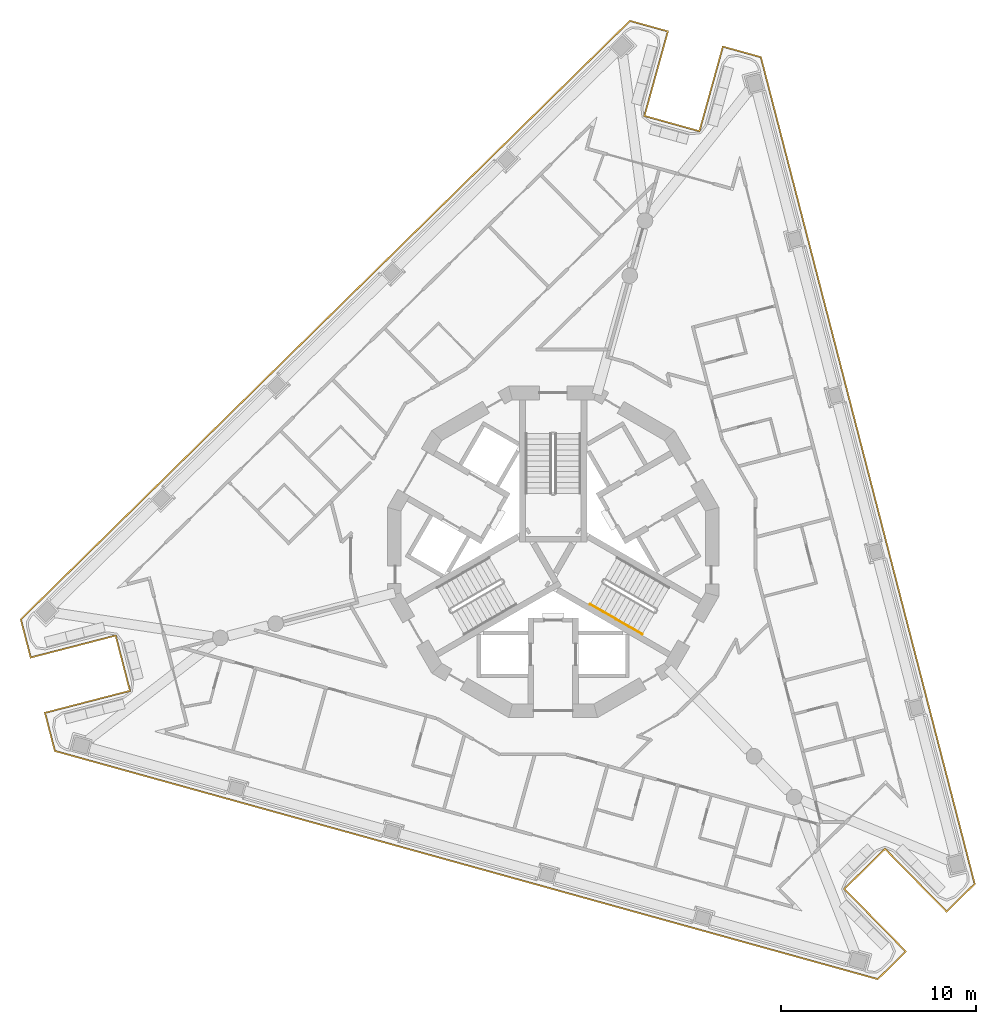
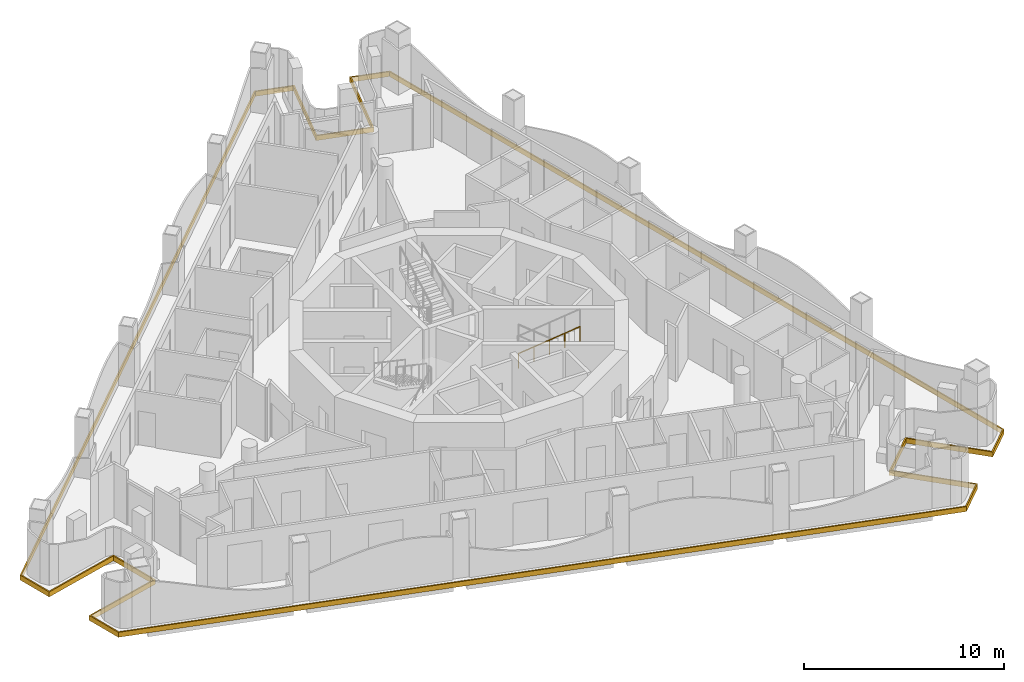
# One storey, part 11 of 14: 2 railings, 1 covering.
"""IFC4 building model written with IfcOpenShell, lengths in metres."""

from ifc_helpers import new_model, si_unit, direction, frame, origin, origin_2d, place, context, subcontext, project, spatial, polyline, circle, outline, extrude, material, layer, layer_set, type_object, element, save


model = new_model("IFC4")

# Units and contexts
model_context = context("Model", 3, precision=1e-05, world=origin(), true_north=direction((0.0, 1.0)))
body_context = subcontext(model_context, "Body", "Model", "MODEL_VIEW")
ifc_project = project(units=[si_unit("LENGTHUNIT", "METRE"), si_unit("AREAUNIT", "SQUARE_METRE"), si_unit("VOLUMEUNIT", "CUBIC_METRE"), si_unit("PLANEANGLEUNIT", "RADIAN"), si_unit("MASSUNIT", "GRAM", prefix="KILO")], contexts=[model_context])

# Site, building, storey
site_placement = place(None, origin())
site = spatial("IfcSite", under=ifc_project, at=site_placement, CompositionType="ELEMENT")
building_placement = place(site_placement, origin())
building = spatial("IfcBuilding", under=site, at=building_placement, Name="Trine Commons Tower", CompositionType="ELEMENT")
storey_placement = place(building_placement, frame((0.0, 0.0, 252.89990234375)))
storey = spatial("IfcBuildingStorey", under=building, at=storey_placement, Name="L66", CompositionType="ELEMENT", Elevation=252.89990234375)

# Covering
ifc_material_1 = material(Name="Limestone, honed", Category="masonry")
ifc_layer = layer(ifc_material_1, 0.074951171875)
ifc_layer_set = layer_set([ifc_layer], Name="Limestone, honed")
covering_type = type_object("IfcCoveringType", Name="Limestone spandrel panel 75", PredefinedType="CLADDING", material=ifc_layer_set)
covering_placement = place(storey_placement, frame((0.0, 0.0, -0.2998046875)))
element("IfcCovering", 1, at=covering_placement, inside=storey, type_object=covering_type, Name="Limestone spandrel panel 7-01", PredefinedType="CLADDING", context=body_context, shape_type="SweptSolid", body=[
    extrude(outline(polyline([(97.018310546875, 47.215087890625), (100.172607421875, 44.00537109375), (101.65771484375, 45.465087890625), (90.68359375, 87.899169921875), (88.677001953125, 88.45556640625), (87.474365234375, 84.119140625), (84.72802734375, 84.880859375), (85.9306640625, 89.21728515625), (83.923828125, 89.773681640625), (52.662109375, 59.052734375), (53.183349609375, 57.03662109375), (57.5400390625, 58.163330078125), (58.253662109375, 55.404052734375), (53.89697265625, 54.27734375), (54.418212890625, 52.26123046875), (96.654541015625, 40.548095703125), (98.1396484375, 42.0078125), (94.985595703125, 45.21728515625), (97.018310546875, 47.215087890625)]), holes=[polyline([(88.72900390625, 88.36328125), (90.621826171875, 87.83837890625), (101.57421875, 45.488037109375), (100.17333984375, 44.111572265625), (97.019287109375, 47.321044921875), (94.879638671875, 45.218505859375), (98.03369140625, 42.0087890625), (96.6328125, 40.632080078125), (54.47998046875, 52.322021484375), (53.98828125, 54.2236328125), (58.344970703125, 55.350341796875), (57.593994140625, 58.254638671875), (53.2373046875, 57.1279296875), (52.745361328125, 59.029541015625), (83.945556640625, 89.68994140625), (85.838134765625, 89.1650390625), (84.6357421875, 84.82861328125), (87.526611328125, 84.02685546875), (88.72900390625, 88.36328125)])]), origin(), (0.0, 0.0, 1.0), 0.2998046875),
])

# Railings
ifc_material_2 = material(Name="Stainless steel handrail", Category="steel")
railing_type = type_object("IfcRailingType", Name="Stair handrail, steel 900", PredefinedType="HANDRAIL", material=ifc_material_2)
for number, where, name in (
    (2, (81.90234375, 59.81396484375, 1.9501953125), "L66 ST3C stair handrail 3"),
    (3, (83.236083984375, 59.0439453125, 2.775146484375), "L66 ST3C stair handrail 4"),
):
    element("IfcRailing", number, at=place(storey_placement, frame(where)), inside=storey, type_object=railing_type, Name=name, PredefinedType="HANDRAIL", context=body_context, shape_type="SweptSolid", body=[
        extrude(circle(Radius=0.02099609375, at=origin_2d()), frame((0.0, 0.0, 0.87890625), z_axis=(0.76340495495, -0.440743040072, 0.472184759798), x_axis=(0.499992328818, 0.866029832698, 0.0)), (0.0, 0.0, 1.0), 1.7470703125),
        extrude(circle(Radius=0.01513671875, at=origin_2d()), origin(), (0.0, 0.0, 1.0), 0.85791015625),
        extrude(circle(Radius=0.01513671875, at=origin_2d()), frame((0.6669921875, -0.385009765625, 0.41259765625)), (0.0, 0.0, 1.0), 0.85791015625),
        extrude(circle(Radius=0.01513671875, at=origin_2d()), frame((1.333740234375, -0.77001953125, 0.824951171875)), (0.0, 0.0, 1.0), 0.85791015625),
    ])

save(model, "model.ifc")
